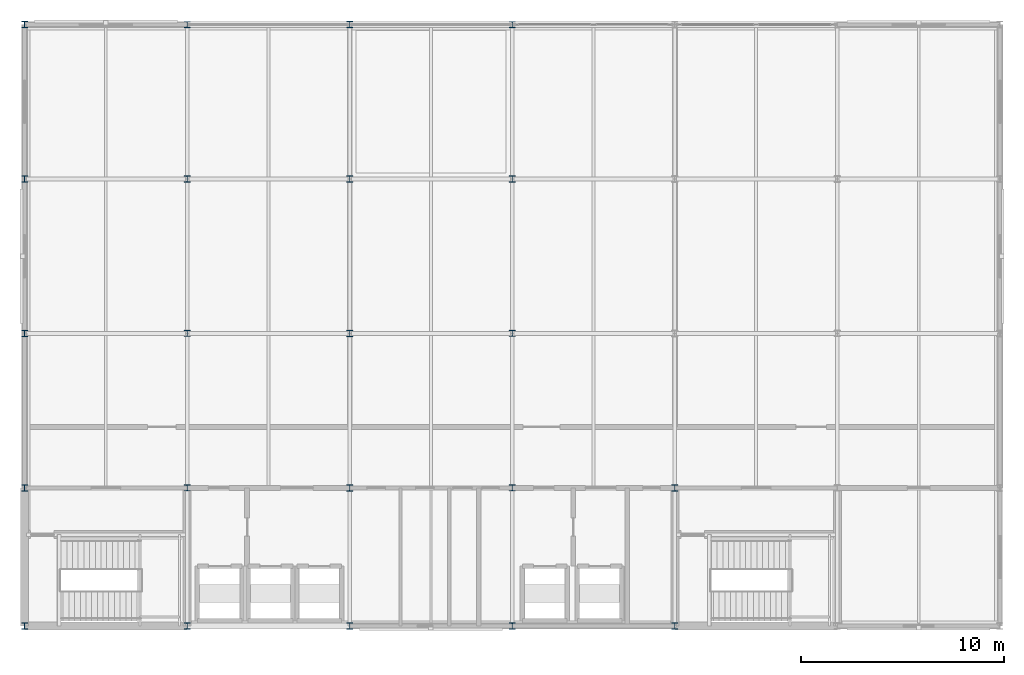
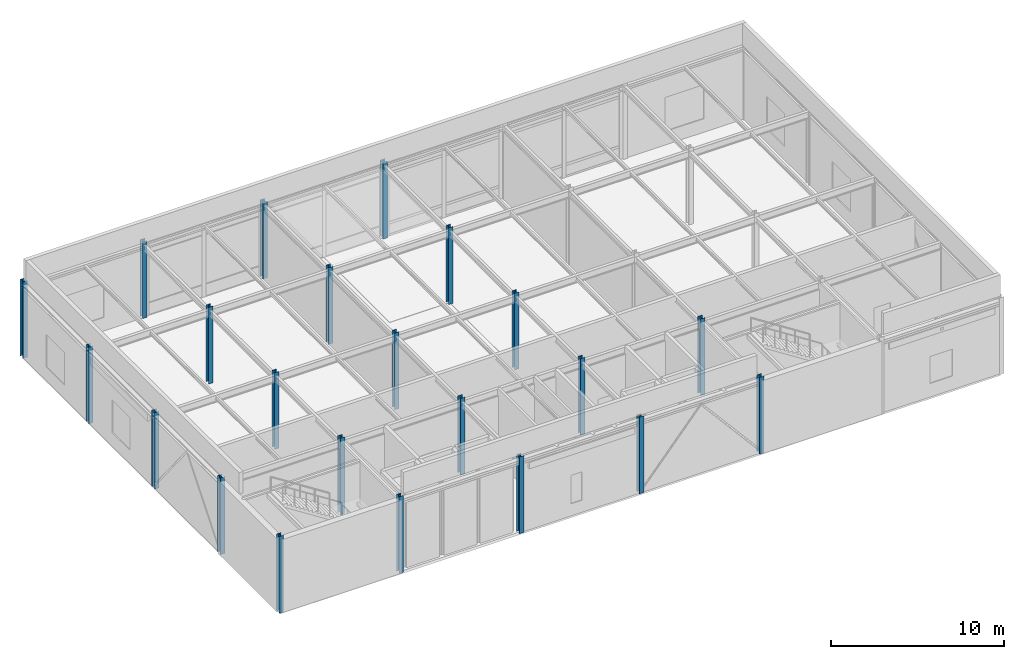
# One storey, part 1 of 12: 22 columns.
"""IFC4 building model written with IfcOpenShell, lengths in metres."""

from ifc_helpers import new_model, si_unit, direction, frame, origin, origin_2d, place, context, subcontext, project, spatial, i_section, extrude, material, material_profile, profile_set, type_object, element, save


model = new_model("IFC4")

# Units and contexts
model_context = context("Model", 3, precision=1e-05, world=origin(), true_north=direction((0.0, 1.0)))
body_context = subcontext(model_context, "Body", "Model", "MODEL_VIEW")
ifc_project = project(units=[si_unit("LENGTHUNIT", "METRE"), si_unit("AREAUNIT", "SQUARE_METRE"), si_unit("VOLUMEUNIT", "CUBIC_METRE"), si_unit("PLANEANGLEUNIT", "RADIAN"), si_unit("MASSUNIT", "GRAM", prefix="KILO")], contexts=[model_context])

# Site, building, storey
site_placement = place(None, origin())
site = spatial("IfcSite", under=ifc_project, at=site_placement, CompositionType="ELEMENT")
building_placement = place(site_placement, origin())
building = spatial("IfcBuilding", under=site, at=building_placement, Name="Shalkamar Park Central Library", CompositionType="ELEMENT")
storey_placement = place(building_placement, frame((0.0, 0.0, 72.300048828125)))
storey = spatial("IfcBuildingStorey", under=building, at=storey_placement, Name="L18", CompositionType="ELEMENT", Elevation=72.300048828125)

# Columns
ifc_material = material(Name="Steel S355", Category="steel")
ifc_material_profile_1 = material_profile(ifc_material, i_section(OverallWidth=0.300048828125, OverallDepth=0.300048828125, WebThickness=0.010986328125, FlangeThickness=0.01904296875, FilletRadius=0.027099609375, at=origin_2d()), Name="HEB 300")
ifc_profile_set_1 = profile_set([ifc_material_profile_1], Name="Steel S355")
column_type_1 = type_object("IfcColumnType", Name="Column Steel HEB300", PredefinedType="COLUMN", material=ifc_profile_set_1)
for number, where, z_axis, x_axis, name in (
    (1, (173.0, 248.39990234375, 0.0), (0.0, 0.0, 1.0), (1.0, 0.0, 0.0), "Column 08/B (L18)"),
    (2, (173.0, 255.199951171875, 0.0), (0.0, 0.0, 1.0), (1.0, 0.0, 0.0), "Column 08/C (L18)"),
    (3, (173.0, 262.800048828125, 0.0), (0.0, 0.0, 1.0), (1.0, 0.0, 0.0), "Column 08/D (L18)"),
    (4, (173.0, 270.39990234375, 0.0), (0.0, 0.0, 1.0), (1.0, 0.0, 0.0), "Column 08/E (L18)"),
    (5, (173.0, 278.0, 0.0), (0.0, 0.0, 1.0), (1.0, 0.0, 0.0), "Column 08/F (L18)"),
    (6, (189.0, 248.39990234375, 0.0), (0.0, 0.0, 1.0), (1.0, 0.0, 0.0), "Column 10/B (L18)"),
    (7, (189.0, 255.199951171875, 0.0), (0.0, 0.0, 1.0), (1.0, 0.0, 0.0), "Column 10/C (L18)"),
    (8, (189.0, 262.800048828125, 0.0), (0.0, 0.0, 1.0), (1.0, 0.0, 0.0), "Column 10/D (L18)"),
    (9, (189.0, 270.39990234375, 0.0), (0.0, 0.0, 1.0), (1.0, 0.0, 0.0), "Column 10/E (L18)"),
    (10, (189.0, 278.0, 0.0), (0.0, 0.0, 1.0), (1.0, 0.0, 0.0), "Column 10/F (L18)"),
):
    element("IfcColumn", number, at=place(storey_placement, frame(where, z_axis=z_axis, x_axis=x_axis)), inside=storey, type_object=column_type_1, Name=name, PredefinedType="COLUMN", context=body_context, shape_type="SweptSolid", body=[
        extrude(i_section(OverallWidth=0.300048828125, OverallDepth=0.300048828125, WebThickness=0.010986328125, FlangeThickness=0.01904296875, FilletRadius=0.027099609375, at=origin_2d()), origin(), (0.0, 0.0, 1.0), 5.39990234375),
    ])
ifc_material_profile_2 = material_profile(ifc_material, i_section(OverallWidth=0.300048828125, OverallDepth=0.320068359375, WebThickness=0.011474609375, FlangeThickness=0.0205078125, FilletRadius=0.027099609375, at=origin_2d()), Name="HEB 320")
ifc_profile_set_2 = profile_set([ifc_material_profile_2], Name="Steel S355")
column_type_2 = type_object("IfcColumnType", Name="Column Steel HEB320", PredefinedType="COLUMN", material=ifc_profile_set_2)
for number, where, z_axis, x_axis, name in (
    (11, (165.0, 248.39990234375, 0.0), (0.0, 0.0, 1.0), (1.0, 0.0, 0.0), "Column 07/B (L18)"),
    (12, (165.0, 255.199951171875, 0.0), (0.0, 0.0, 1.0), (1.0, 0.0, 0.0), "Column 07/C (L18)"),
    (13, (165.0, 262.800048828125, 0.0), (0.0, 0.0, 1.0), (1.0, 0.0, 0.0), "Column 07/D (L18)"),
    (14, (165.0, 270.39990234375, 0.0), (0.0, 0.0, 1.0), (1.0, 0.0, 0.0), "Column 07/E (L18)"),
    (15, (165.0, 278.0, 0.0), (0.0, 0.0, 1.0), (1.0, 0.0, 0.0), "Column 07/F (L18)"),
    (16, (181.0, 248.39990234375, 0.0), (0.0, 0.0, 1.0), (1.0, 0.0, 0.0), "Column 09/B (L18)"),
    (17, (181.0, 255.199951171875, 0.0), (0.0, 0.0, 1.0), (1.0, 0.0, 0.0), "Column 09/C (L18)"),
    (18, (181.0, 262.800048828125, 0.0), (0.0, 0.0, 1.0), (1.0, 0.0, 0.0), "Column 09/D (L18)"),
    (19, (181.0, 270.39990234375, 0.0), (0.0, 0.0, 1.0), (1.0, 0.0, 0.0), "Column 09/E (L18)"),
    (20, (181.0, 278.0, 0.0), (0.0, 0.0, 1.0), (1.0, 0.0, 0.0), "Column 09/F (L18)"),
    (21, (197.0, 248.39990234375, 0.0), (0.0, 0.0, 1.0), (1.0, 0.0, 0.0), "Column 11/B (L18)"),
    (22, (197.0, 255.199951171875, 0.0), (0.0, 0.0, 1.0), (1.0, 0.0, 0.0), "Column 11/C (L18)"),
):
    element("IfcColumn", number, at=place(storey_placement, frame(where, z_axis=z_axis, x_axis=x_axis)), inside=storey, type_object=column_type_2, Name=name, PredefinedType="COLUMN", context=body_context, shape_type="SweptSolid", body=[
        extrude(i_section(OverallWidth=0.300048828125, OverallDepth=0.320068359375, WebThickness=0.011474609375, FlangeThickness=0.0205078125, FilletRadius=0.027099609375, at=origin_2d()), origin(), (0.0, 0.0, 1.0), 5.39990234375),
    ])

save(model, "model.ifc")
